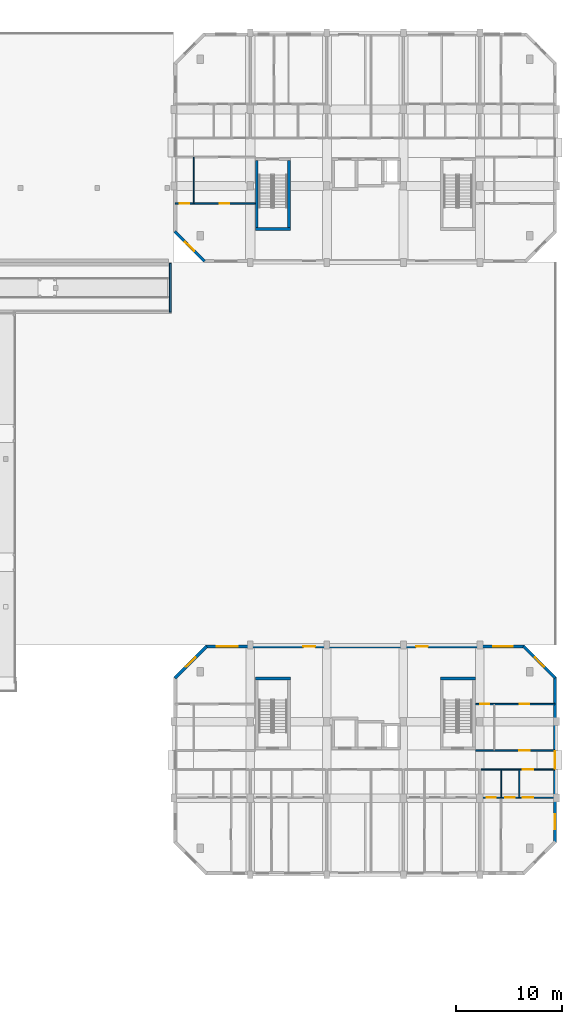
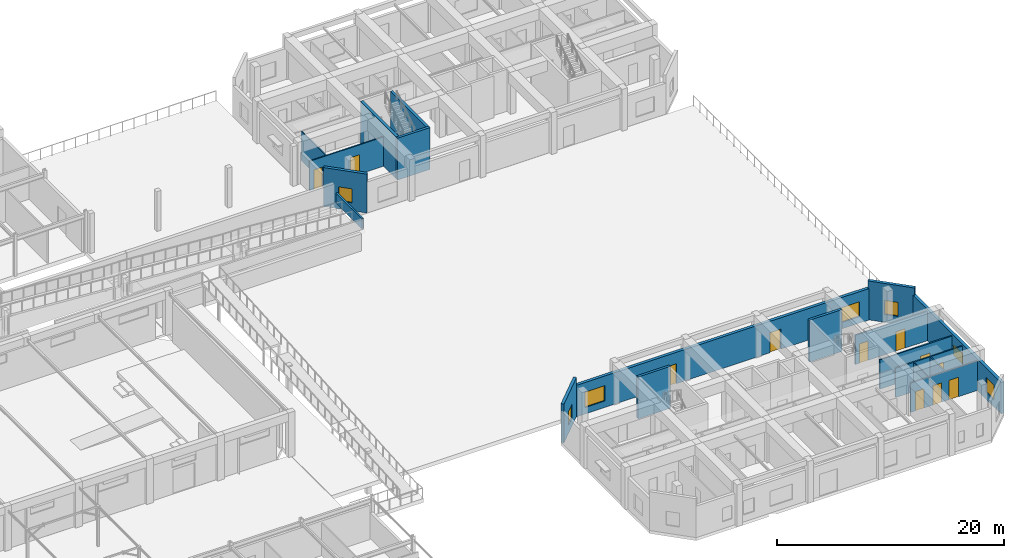
# One storey, part 67 of 85: 19 walls, 11 doors, 7 windows, 18 openings.
"""IFC4 building model written with IfcOpenShell, lengths in metres."""

from ifc_helpers import new_model, si_unit, direction, frame, frame_2d, origin, place, context, subcontext, project, spatial, rectangle, extrude, material, layer, layer_set, type_object, element, fill, save


model = new_model("IFC4")

# Units and contexts
model_context = context("Model", 3, precision=1e-05, world=origin(), true_north=direction((0.0, 1.0)))
body_context = subcontext(model_context, "Body", "Model", "MODEL_VIEW")
ifc_project = project(units=[si_unit("LENGTHUNIT", "METRE"), si_unit("AREAUNIT", "SQUARE_METRE"), si_unit("VOLUMEUNIT", "CUBIC_METRE"), si_unit("PLANEANGLEUNIT", "RADIAN"), si_unit("MASSUNIT", "GRAM", prefix="KILO")], contexts=[model_context])

# Site, building, storey
site_placement = place(None, origin())
site = spatial("IfcSite", under=ifc_project, at=site_placement, CompositionType="ELEMENT")
building_placement = place(site_placement, origin())
building = spatial("IfcBuilding", under=site, at=building_placement, Name="Ochrevale Crest", CompositionType="ELEMENT")
storey_placement = place(building_placement, origin())
storey = spatial("IfcBuildingStorey", under=building, at=storey_placement, Name="L00", CompositionType="ELEMENT", Elevation=0.0)

# Wall, opening, door
ifc_material_1 = material(Name="Gypsum plasterboard", Category="gypsum")
ifc_layer_1 = layer(ifc_material_1, 0.139892578125)
ifc_layer_set_1 = layer_set([ifc_layer_1], Name="Gypsum plasterboard")
wall_type_1 = type_object("IfcWallType", Name="WL-COR-140", PredefinedType="PARTITIONING", material=ifc_layer_set_1)
wall_1_placement = place(storey_placement, frame((158.5400390625, 24.300048828125, 0.0), z_axis=(0.0, 0.0, 1.0), x_axis=(1.0, 0.0, 0.0)))
wall_1 = element("IfcWall", 1, at=wall_1_placement, inside=storey, type_object=wall_type_1, Name="Apartment C-L00-U5 corridor wall", PredefinedType="PARTITIONING", context=body_context, shape_type="SweptSolid", body=[
    extrude(rectangle(XDim=6.919921875, YDim=0.139892578125, at=frame_2d((3.4599609375, 0.0))), origin(), (0.0, 0.0, 1.0), 3.14990234375),
])
opening_1_placement = place(wall_1_placement, frame((4.875, 0.0, 0.0), z_axis=(0.0, 0.0, 1.0), x_axis=(-1.0, 0.0, 0.0)))
opening_1 = element("IfcOpeningElement", 2, at=opening_1_placement, cuts=wall_1, Name="Opening FD01", PredefinedType="OPENING", context=body_context, shape_type="SweptSolid", body=[
    extrude(rectangle(XDim=0.97998046875, YDim=2.10009765625, at=frame_2d((0.489990234375, 1.050048828125))), frame((0.0, 0.080078125, 0.0), z_axis=(0.0, -1.0, 0.0), x_axis=(1.0, 0.0, 0.0)), (0.0, 0.0, 1.0), 0.159912109375),
])
ifc_material_2 = material(Name="Solid-core FSC hardwood", Category="wood")
door_type_1 = type_object("IfcDoorType", Name="DR-APT-950", OperationType="NOTDEFINED", PredefinedType="DOOR", material=ifc_material_2)
door_1_placement = place(opening_1_placement, origin())
door_1 = element("IfcDoor", 3, at=door_1_placement, inside=storey, type_object=door_type_1, Name="Apartment C-L00-U5 entrance door", OperationType="SINGLE_SWING_RIGHT", OverallHeight=2.10009765625, OverallWidth=0.97998046875, PredefinedType="DOOR", context=body_context, shape_type="SweptSolid", body=[
    extrude(rectangle(XDim=0.97998046875, YDim=2.10009765625, at=frame_2d((0.489990234375, 1.050048828125))), frame((0.0, 0.02490234375, 0.0), z_axis=(0.0, -1.0, 0.0), x_axis=(1.0, 0.0, 0.0)), (0.0, 0.0, 1.0), 0.050048828125),
])
fill(opening_1, door_1)

wall_2_placement = place(storey_placement, frame((157.989990234375, 26.10009765625, 0.0), z_axis=(0.0, 0.0, 1.0), x_axis=(1.0, 0.0, 0.0)))
wall_2 = element("IfcWall", 4, at=wall_2_placement, inside=storey, type_object=wall_type_1, Name="Suite C-L00-CE corridor wall", PredefinedType="PARTITIONING", context=body_context, shape_type="SweptSolid", body=[
    extrude(rectangle(XDim=7.469970703125, YDim=0.139892578125, at=frame_2d((3.73486328125, 0.0))), origin(), (0.0, 0.0, 1.0), 3.14990234375),
])
opening_2_placement = place(wall_2_placement, frame((5.10009765625, 0.0, 0.0), z_axis=(0.0, 0.0, 1.0), x_axis=(-1.0, 0.0, 0.0)))
opening_2 = element("IfcOpeningElement", 5, at=opening_2_placement, cuts=wall_2, Name="Opening FD01", PredefinedType="OPENING", context=body_context, shape_type="SweptSolid", body=[
    extrude(rectangle(XDim=0.97998046875, YDim=2.10009765625, at=frame_2d((0.489990234375, 1.050048828125))), frame((0.0, 0.080078125, 0.0), z_axis=(0.0, -1.0, 0.0), x_axis=(1.0, 0.0, 0.0)), (0.0, 0.0, 1.0), 0.159912109375),
])
door_2_placement = place(opening_2_placement, origin())
door_2 = element("IfcDoor", 6, at=door_2_placement, inside=storey, type_object=door_type_1, Name="Suite C-L00-CE entrance door", OperationType="SINGLE_SWING_RIGHT", OverallHeight=2.10009765625, OverallWidth=0.97998046875, PredefinedType="DOOR", context=body_context, shape_type="SweptSolid", body=[
    extrude(rectangle(XDim=0.97998046875, YDim=2.10009765625, at=frame_2d((0.489990234375, 1.050048828125))), frame((0.0, 0.02490234375, 0.0), z_axis=(0.0, -1.0, 0.0), x_axis=(1.0, 0.0, 0.0)), (0.0, 0.0, 1.0), 0.050048828125),
])
fill(opening_2, door_2)

# Walls
ifc_material_3 = material(Name="Precast concrete C50/60", Category="concrete")
ifc_layer_2 = layer(ifc_material_3, 0.2548828125)
ifc_layer_set_2 = layer_set([ifc_layer_2], Name="Precast concrete C50/60")
wall_type_2 = type_object("IfcWallType", Name="WL-CORE-255", PredefinedType="SHEAR", material=ifc_layer_set_2)
for number, where, z_axis, x_axis, name in (
    (7, (137.2724609375, 32.85009765625, 0.0), (0.0, 0.0, 1.0), (1.0, 0.0, 0.0), "Block C L00 Stair 1 precast core shear wall N"),
    (8, (154.672607421875, 32.85009765625, 0.0), (0.0, 0.0, 1.0), (1.0, 0.0, 0.0), "Block C L00 Stair 2 precast core shear wall N"),
    (9, (137.2724609375, 75.14990234375, 0.0), (0.0, 0.0, 1.0), (1.0, 0.0, 0.0), "Block D L00 Stair 1 precast core shear wall S"),
):
    element("IfcWall", number, at=place(storey_placement, frame(where, z_axis=z_axis, x_axis=x_axis)), inside=storey, type_object=wall_type_2, Name=name, PredefinedType="SHEAR", context=body_context, shape_type="SweptSolid", body=[
        extrude(rectangle(XDim=3.304931640625, YDim=0.2548828125, at=frame_2d((1.65234375, 0.0))), origin(), (0.0, 0.0, 1.0), 4.5),
    ])
for number, where, z_axis, x_axis, name in (
    (10, (137.39990234375, 75.277587890625, 0.0), (0.0, 0.0, 1.0), (0.0, 1.0, 0.0), "Block D L00 Stair 1 precast core shear wall W"),
    (11, (140.449951171875, 75.277587890625, 0.0), (0.0, 0.0, 1.0), (0.0, 1.0, 0.0), "Block D L00 Stair 1 precast core shear wall E"),
):
    element("IfcWall", number, at=place(storey_placement, frame(where, z_axis=z_axis, x_axis=x_axis)), inside=storey, type_object=wall_type_2, Name=name, PredefinedType="SHEAR", context=body_context, shape_type="SweptSolid", body=[
        extrude(rectangle(XDim=6.294921875, YDim=0.2548828125, at=frame_2d((3.1474609375, 0.0))), origin(), (0.0, 0.0, 1.0), 4.5),
    ])

# Wall, openings, windows
ifc_material_4 = material(Name="Clay face brickwork", Category="masonry")
ifc_layer_3 = layer(ifc_material_4, 0.2900390625)
ifc_layer_set_3 = layer_set([ifc_layer_3], Name="Clay face brickwork")
wall_type_3 = type_object("IfcWallType", Name="WL-EXT-BRICK-290", PredefinedType="SOLIDWALL", material=ifc_layer_set_3)
wall_3_placement = place(storey_placement, frame((165.455078125, 17.39990234375, 0.0), z_axis=(0.0, 0.0, 1.0), x_axis=(0.0, 1.0, 0.0)))
wall_3 = element("IfcWall", 12, at=wall_3_placement, inside=storey, type_object=wall_type_3, Name="Block C L00 external facade wall E3", PredefinedType="SOLIDWALL", context=body_context, shape_type="SweptSolid", body=[
    extrude(rectangle(XDim=15.60009765625, YDim=0.2900390625, at=frame_2d((7.800048828125, 0.0))), origin(), (0.0, 0.0, 1.0), 3.3798828125),
])
opening_3_placement = place(wall_3_placement, frame((6.97509765625, 0.0, 1.050048828125)))
opening_3 = element("IfcOpeningElement", 13, at=opening_3_placement, cuts=wall_3, Name="Opening W19", PredefinedType="OPENING", context=body_context, shape_type="SweptSolid", body=[
    extrude(rectangle(XDim=1.64990234375, YDim=1.14990234375, at=frame_2d((0.824951171875, 0.574951171875))), frame((0.0, 0.155029296875, 0.0), z_axis=(0.0, -1.0, 0.0), x_axis=(1.0, 0.0, 0.0)), (0.0, 0.0, 1.0), 0.31005859375),
])
opening_4_placement = place(wall_3_placement, frame((1.28759765625, 0.0, 0.75)))
opening_4 = element("IfcOpeningElement", 14, at=opening_4_placement, cuts=wall_3, Name="Opening W31", PredefinedType="OPENING", context=body_context, shape_type="SweptSolid", body=[
    extrude(rectangle(XDim=1.419921875, YDim=1.60009765625, at=frame_2d((0.7099609375, 0.800048828125))), frame((0.0, 0.155029296875, 0.0), z_axis=(0.0, -1.0, 0.0), x_axis=(1.0, 0.0, 0.0)), (0.0, 0.0, 1.0), 0.31005859375),
])
ifc_material_5 = material(Name="Anodised aluminium 6063-T5 and low-E double glazing", Category="aluminium")
window_type_1 = type_object("IfcWindowType", Name="WIN-W19", PartitioningType="SINGLE_PANEL", PredefinedType="WINDOW", material=ifc_material_5)
window_1_placement = place(opening_3_placement, origin())
window_1 = element("IfcWindow", 15, at=window_1_placement, inside=storey, type_object=window_type_1, Name="Block C L00 corridor end daylight window E", OverallHeight=1.14990234375, OverallWidth=1.64990234375, PartitioningType="SINGLE_PANEL", PredefinedType="WINDOW", context=body_context, shape_type="SweptSolid", body=[
    extrude(rectangle(XDim=1.64990234375, YDim=1.14990234375, at=frame_2d((0.824951171875, 0.574951171875))), frame((0.0, 0.030029296875, 0.0), z_axis=(0.0, -1.0, 0.0), x_axis=(1.0, 0.0, 0.0)), (0.0, 0.0, 1.0), 0.06005859375),
])
fill(opening_3, window_1)
window_type_2 = type_object("IfcWindowType", Name="WIN-W31", PartitioningType="SINGLE_PANEL", PredefinedType="WINDOW", material=ifc_material_5)
window_2_placement = place(opening_4_placement, origin())
window_2 = element("IfcWindow", 16, at=window_2_placement, inside=storey, type_object=window_type_2, Name="Block C L00 side suite window E", OverallHeight=1.60009765625, OverallWidth=1.419921875, PartitioningType="SINGLE_PANEL", PredefinedType="WINDOW", context=body_context, shape_type="SweptSolid", body=[
    extrude(rectangle(XDim=1.419921875, YDim=1.60009765625, at=frame_2d((0.7099609375, 0.800048828125))), frame((0.0, 0.030029296875, 0.0), z_axis=(0.0, -1.0, 0.0), x_axis=(1.0, 0.0, 0.0)), (0.0, 0.0, 1.0), 0.06005859375),
])
fill(opening_4, window_2)

# Wall, opening, window
wall_4_placement = place(storey_placement, frame((165.49755859375, 32.8974609375, 0.0), z_axis=(0.0, 0.0, 1.0), x_axis=(-0.707106781187, 0.707106781187, 0.0)))
wall_4 = element("IfcWall", 17, at=wall_4_placement, inside=storey, type_object=wall_type_3, Name="Block C L00 external facade wall E4", PredefinedType="SOLIDWALL", context=body_context, shape_type="SweptSolid", body=[
    extrude(rectangle(XDim=4.24267578125, YDim=0.2900390625, at=frame_2d((2.121337890625, 0.0))), origin(), (0.0, 0.0, 1.0), 4.175048828125),
])
opening_5_placement = place(wall_4_placement, frame((1.51123046875, 0.0, 0.85009765625)))
opening_5 = element("IfcOpeningElement", 18, at=opening_5_placement, cuts=wall_4, Name="Opening W06", PredefinedType="OPENING", context=body_context, shape_type="SweptSolid", body=[
    extrude(rectangle(XDim=1.219970703125, YDim=1.5, at=frame_2d((0.60986328125, 0.75))), frame((0.0, 0.155029296875, 0.0), z_axis=(0.0, -1.0, 0.0), x_axis=(1.0, 0.0, 0.0)), (0.0, 0.0, 1.0), 0.31005859375),
])
window_type_3 = type_object("IfcWindowType", Name="WIN-W06", PartitioningType="SINGLE_PANEL", PredefinedType="WINDOW", material=ifc_material_5)
window_3_placement = place(opening_5_placement, origin())
window_3 = element("IfcWindow", 19, at=window_3_placement, inside=storey, type_object=window_type_3, Name="Block C L00 corner room casement window 4", OverallHeight=1.5, OverallWidth=1.219970703125, PartitioningType="SINGLE_PANEL", PredefinedType="WINDOW", context=body_context, shape_type="SweptSolid", body=[
    extrude(rectangle(XDim=1.219970703125, YDim=1.5, at=frame_2d((0.60986328125, 0.75))), frame((0.0, 0.030029296875, 0.0), z_axis=(0.0, -1.0, 0.0), x_axis=(1.0, 0.0, 0.0)), (0.0, 0.0, 1.0), 0.06005859375),
])
fill(opening_5, window_3)

# Wall, openings, doors, windows
wall_5_placement = place(storey_placement, frame((162.60009765625, 35.85498046875, 0.0), z_axis=(0.0, 0.0, 1.0), x_axis=(-1.0, 0.0, 0.0)))
wall_5 = element("IfcWall", 20, at=wall_5_placement, inside=storey, type_object=wall_type_3, Name="Block C L00 external facade wall E5", PredefinedType="SOLIDWALL", context=body_context, shape_type="SweptSolid", body=[
    extrude(rectangle(XDim=30.0, YDim=0.2900390625, at=frame_2d((15.0, 0.0))), origin(), (0.0, 0.0, 1.0), 3.3798828125),
])
opening_6_placement = place(wall_5_placement, frame((20.800048828125, 0.0, 0.0), z_axis=(0.0, 0.0, 1.0), x_axis=(-1.0, 0.0, 0.0)))
opening_6 = element("IfcOpeningElement", 21, at=opening_6_placement, cuts=wall_5, Name="Opening ED06", PredefinedType="OPENING", context=body_context, shape_type="SweptSolid", body=[
    extrude(rectangle(XDim=1.10009765625, YDim=2.14990234375, at=frame_2d((0.550048828125, 1.074951171875))), frame((0.0, 0.155029296875, 0.0), z_axis=(0.0, -1.0, 0.0), x_axis=(1.0, 0.0, 0.0)), (0.0, 0.0, 1.0), 0.31005859375),
])
opening_7_placement = place(wall_5_placement, frame((10.2001953125, 0.0, 0.0), z_axis=(0.0, 0.0, 1.0), x_axis=(-1.0, 0.0, 0.0)))
opening_7 = element("IfcOpeningElement", 22, at=opening_7_placement, cuts=wall_5, Name="Opening ED06", PredefinedType="OPENING", context=body_context, shape_type="SweptSolid", body=[
    extrude(rectangle(XDim=1.10009765625, YDim=2.14990234375, at=frame_2d((0.550048828125, 1.074951171875))), frame((0.0, 0.155029296875, 0.0), z_axis=(0.0, -1.0, 0.0), x_axis=(1.0, 0.0, 0.0)), (0.0, 0.0, 1.0), 0.31005859375),
])
opening_8_placement = place(wall_5_placement, frame((1.097412109375, 0.0, 0.699951171875)))
opening_8 = element("IfcOpeningElement", 23, at=opening_8_placement, cuts=wall_5, Name="Opening W11", PredefinedType="OPENING", context=body_context, shape_type="SweptSolid", body=[
    extrude(rectangle(XDim=1.860107421875, YDim=1.60009765625, at=frame_2d((0.93017578125, 0.800048828125))), frame((0.0, 0.155029296875, 0.0), z_axis=(0.0, -1.0, 0.0), x_axis=(1.0, 0.0, 0.0)), (0.0, 0.0, 1.0), 0.31005859375),
])
opening_9_placement = place(wall_5_placement, frame((26.972412109375, 0.0, 0.699951171875)))
opening_9 = element("IfcOpeningElement", 24, at=opening_9_placement, cuts=wall_5, Name="Opening W12", PredefinedType="OPENING", context=body_context, shape_type="SweptSolid", body=[
    extrude(rectangle(XDim=2.0, YDim=1.64990234375, at=frame_2d((1.0, 0.824951171875))), frame((0.0, 0.155029296875, 0.0), z_axis=(0.0, -1.0, 0.0), x_axis=(1.0, 0.0, 0.0)), (0.0, 0.0, 1.0), 0.31005859375),
])
ifc_material_6 = material(Name="Anodised aluminium 6063-T5 and toughened glass", Category="aluminium")
door_type_2 = type_object("IfcDoorType", Name="DR-EXT-1100", OperationType="NOTDEFINED", PredefinedType="DOOR", material=ifc_material_6)
door_3_placement = place(opening_6_placement, origin())
door_3 = element("IfcDoor", 25, at=door_3_placement, inside=storey, type_object=door_type_2, Name="Block C fire-stair 1 final exit door", OperationType="SINGLE_SWING_RIGHT", OverallHeight=2.14990234375, OverallWidth=1.10009765625, PredefinedType="DOOR", context=body_context, shape_type="SweptSolid", body=[
    extrude(rectangle(XDim=1.10009765625, YDim=2.14990234375, at=frame_2d((0.550048828125, 1.074951171875))), frame((0.0, 0.02490234375, 0.0), z_axis=(0.0, -1.0, 0.0), x_axis=(1.0, 0.0, 0.0)), (0.0, 0.0, 1.0), 0.050048828125),
])
fill(opening_6, door_3)
door_4_placement = place(opening_7_placement, origin())
door_4 = element("IfcDoor", 26, at=door_4_placement, inside=storey, type_object=door_type_2, Name="Block C fire-stair 2 final exit door", OperationType="SINGLE_SWING_LEFT", OverallHeight=2.14990234375, OverallWidth=1.10009765625, PredefinedType="DOOR", context=body_context, shape_type="SweptSolid", body=[
    extrude(rectangle(XDim=1.10009765625, YDim=2.14990234375, at=frame_2d((0.550048828125, 1.074951171875))), frame((0.0, 0.02490234375, 0.0), z_axis=(0.0, -1.0, 0.0), x_axis=(1.0, 0.0, 0.0)), (0.0, 0.0, 1.0), 0.050048828125),
])
fill(opening_7, door_4)
window_type_4 = type_object("IfcWindowType", Name="WIN-W11", PartitioningType="SINGLE_PANEL", PredefinedType="WINDOW", material=ifc_material_5)
window_4_placement = place(opening_8_placement, origin())
window_4 = element("IfcWindow", 27, at=window_4_placement, inside=storey, type_object=window_type_4, Name="Block C L00 Suite C-L00-CE Master Bedroom window", OverallHeight=1.60009765625, OverallWidth=1.860107421875, PartitioningType="SINGLE_PANEL", PredefinedType="WINDOW", context=body_context, shape_type="SweptSolid", body=[
    extrude(rectangle(XDim=1.860107421875, YDim=1.60009765625, at=frame_2d((0.93017578125, 0.800048828125))), frame((0.0, 0.030029296875, 0.0), z_axis=(0.0, -1.0, 0.0), x_axis=(1.0, 0.0, 0.0)), (0.0, 0.0, 1.0), 0.06005859375),
])
fill(opening_8, window_4)
window_type_5 = type_object("IfcWindowType", Name="WIN-W12", PartitioningType="SINGLE_PANEL", PredefinedType="WINDOW", material=ifc_material_5)
window_5_placement = place(opening_9_placement, origin())
window_5 = element("IfcWindow", 28, at=window_5_placement, inside=storey, type_object=window_type_5, Name="Block C L00 Suite C-L00-CW Garden Alcove Studio window", OverallHeight=1.64990234375, OverallWidth=2.0, PartitioningType="SINGLE_PANEL", PredefinedType="WINDOW", context=body_context, shape_type="SweptSolid", body=[
    extrude(rectangle(XDim=2.0, YDim=1.64990234375, at=frame_2d((1.0, 0.824951171875))), frame((0.0, 0.030029296875, 0.0), z_axis=(0.0, -1.0, 0.0), x_axis=(1.0, 0.0, 0.0)), (0.0, 0.0, 1.0), 0.06005859375),
])
fill(opening_9, window_5)

# Wall, opening, window
wall_6_placement = place(storey_placement, frame((132.702392578125, 35.8974609375, 0.0), z_axis=(0.0, 0.0, 1.0), x_axis=(-0.707106781187, -0.707106781187, 0.0)))
wall_6 = element("IfcWall", 29, at=wall_6_placement, inside=storey, type_object=wall_type_3, Name="Block C L00 external facade wall E6", PredefinedType="SOLIDWALL", context=body_context, shape_type="SweptSolid", body=[
    extrude(rectangle(XDim=4.24267578125, YDim=0.2900390625, at=frame_2d((2.121337890625, 0.0))), origin(), (0.0, 0.0, 1.0), 4.175048828125),
])
opening_10_placement = place(wall_6_placement, frame((1.51123046875, 0.0, 0.85009765625)))
opening_10 = element("IfcOpeningElement", 30, at=opening_10_placement, cuts=wall_6, Name="Opening W06", PredefinedType="OPENING", context=body_context, shape_type="SweptSolid", body=[
    extrude(rectangle(XDim=1.219970703125, YDim=1.5, at=frame_2d((0.60986328125, 0.75))), frame((0.0, 0.155029296875, 0.0), z_axis=(0.0, -1.0, 0.0), x_axis=(1.0, 0.0, 0.0)), (0.0, 0.0, 1.0), 0.31005859375),
])
window_6_placement = place(opening_10_placement, origin())
window_6 = element("IfcWindow", 31, at=window_6_placement, inside=storey, type_object=window_type_3, Name="Block C L00 corner room casement window 6", OverallHeight=1.5, OverallWidth=1.219970703125, PartitioningType="SINGLE_PANEL", PredefinedType="WINDOW", context=body_context, shape_type="SweptSolid", body=[
    extrude(rectangle(XDim=1.219970703125, YDim=1.5, at=frame_2d((0.60986328125, 0.75))), frame((0.0, 0.030029296875, 0.0), z_axis=(0.0, -1.0, 0.0), x_axis=(1.0, 0.0, 0.0)), (0.0, 0.0, 1.0), 0.06005859375),
])
fill(opening_10, window_6)

wall_7_placement = place(storey_placement, frame((129.702392578125, 74.902587890625, 0.0), z_axis=(0.0, 0.0, 1.0), x_axis=(0.707106781187, -0.707106781187, 0.0)))
wall_7 = element("IfcWall", 32, at=wall_7_placement, inside=storey, type_object=wall_type_3, Name="Block D L00 external facade wall E8", PredefinedType="SOLIDWALL", context=body_context, shape_type="SweptSolid", body=[
    extrude(rectangle(XDim=3.9599609375, YDim=0.2900390625, at=frame_2d((1.97998046875, 0.0))), origin(), (0.0, 0.0, 1.0), 4.175048828125),
])
opening_11_placement = place(wall_7_placement, frame((1.369873046875, 0.0, 0.85009765625)))
opening_11 = element("IfcOpeningElement", 33, at=opening_11_placement, cuts=wall_7, Name="Opening W06", PredefinedType="OPENING", context=body_context, shape_type="SweptSolid", body=[
    extrude(rectangle(XDim=1.219970703125, YDim=1.5, at=frame_2d((0.60986328125, 0.75))), frame((0.0, 0.155029296875, 0.0), z_axis=(0.0, -1.0, 0.0), x_axis=(1.0, 0.0, 0.0)), (0.0, 0.0, 1.0), 0.31005859375),
])
window_7_placement = place(opening_11_placement, origin())
window_7 = element("IfcWindow", 34, at=window_7_placement, inside=storey, type_object=window_type_3, Name="Block D L00 corner room casement window 8", OverallHeight=1.5, OverallWidth=1.219970703125, PartitioningType="SINGLE_PANEL", PredefinedType="WINDOW", context=body_context, shape_type="SweptSolid", body=[
    extrude(rectangle(XDim=1.219970703125, YDim=1.5, at=frame_2d((0.60986328125, 0.75))), frame((0.0, 0.030029296875, 0.0), z_axis=(0.0, -1.0, 0.0), x_axis=(1.0, 0.0, 0.0)), (0.0, 0.0, 1.0), 0.06005859375),
])
fill(opening_11, window_7)

# Walls
ifc_layer_4 = layer(ifc_material_4, 0.179931640625)
ifc_layer_set_4 = layer_set([ifc_layer_4], Name="Clay face brickwork")
wall_type_4 = type_object("IfcWallType", Name="WL-PARAPET-180", PredefinedType="PARAPET", material=ifc_layer_set_4)
wall_8_placement = place(storey_placement, frame((129.280029296875, 67.320068359375, 2.25), z_axis=(0.0, 0.0, 1.0), x_axis=(0.0, 1.0, 0.0)))
element("IfcWall", 35, at=wall_8_placement, inside=storey, type_object=wall_type_4, Name="Hillside Step 2 E end parapet", PredefinedType="PARAPET", context=body_context, shape_type="SweptSolid", body=[
    extrude(rectangle(XDim=4.579833984375, YDim=0.179931640625, at=frame_2d((2.2900390625, 0.0))), origin(), (0.0, 0.0, 1.0), 1.10009765625),
])
ifc_layer_5 = layer(ifc_material_1, 0.1201171875)
ifc_layer_set_5 = layer_set([ifc_layer_5], Name="Gypsum plasterboard")
wall_type_5 = type_object("IfcWallType", Name="WL-PART-120", PredefinedType="PARTITIONING", material=ifc_layer_set_5)
wall_9_placement = place(storey_placement, frame((162.10009765625, 21.64990234375, 0.0), z_axis=(0.0, 0.0, 1.0), x_axis=(0.0, 1.0, 0.0)))
element("IfcWall", 36, at=wall_9_placement, inside=storey, type_object=wall_type_5, Name="Apartment C-L00-U5 kitchen-foyer wall", PredefinedType="PARTITIONING", context=body_context, shape_type="SweptSolid", body=[
    extrude(rectangle(XDim=2.650146484375, YDim=0.1201171875, at=frame_2d((1.3251953125, 0.0))), origin(), (0.0, 0.0, 1.0), 3.14990234375),
])

# Wall, openings, doors
wall_10_placement = place(storey_placement, frame((158.5400390625, 21.64990234375, 0.0), z_axis=(0.0, 0.0, 1.0), x_axis=(1.0, 0.0, 0.0)))
wall_10 = element("IfcWall", 37, at=wall_10_placement, inside=storey, type_object=wall_type_5, Name="Apartment C-L00-U5 central partition", PredefinedType="PARTITIONING", context=body_context, shape_type="SweptSolid", body=[
    extrude(rectangle(XDim=6.919921875, YDim=0.1201171875, at=frame_2d((3.4599609375, 0.0))), origin(), (0.0, 0.0, 1.0), 3.14990234375),
])
opening_12_placement = place(wall_10_placement, frame((0.5, 0.0, 0.0)))
opening_12 = element("IfcOpeningElement", 38, at=opening_12_placement, cuts=wall_10, Name="Opening ID01", PredefinedType="OPENING", context=body_context, shape_type="SweptSolid", body=[
    extrude(rectangle(XDim=0.85009765625, YDim=2.080078125, at=frame_2d((0.425048828125, 1.0400390625))), frame((0.0, 0.070068359375, 0.0), z_axis=(0.0, -1.0, 0.0), x_axis=(1.0, 0.0, 0.0)), (0.0, 0.0, 1.0), 0.14013671875),
])
opening_13_placement = place(wall_10_placement, frame((3.15478515625, 0.0, 0.0), z_axis=(0.0, 0.0, 1.0), x_axis=(-1.0, 0.0, 0.0)))
opening_13 = element("IfcOpeningElement", 39, at=opening_13_placement, cuts=wall_10, Name="Opening ID02", PredefinedType="OPENING", context=body_context, shape_type="SweptSolid", body=[
    extrude(rectangle(XDim=0.89990234375, YDim=2.080078125, at=frame_2d((0.449951171875, 1.0400390625))), frame((0.0, 0.070068359375, 0.0), z_axis=(0.0, -1.0, 0.0), x_axis=(1.0, 0.0, 0.0)), (0.0, 0.0, 1.0), 0.14013671875),
])
opening_14_placement = place(wall_10_placement, frame((3.909912109375, 0.0, 0.0)))
opening_14 = element("IfcOpeningElement", 40, at=opening_14_placement, cuts=wall_10, Name="Opening ID06", PredefinedType="OPENING", context=body_context, shape_type="SweptSolid", body=[
    extrude(rectangle(XDim=0.949951171875, YDim=2.080078125, at=frame_2d((0.47509765625, 1.0400390625))), frame((0.0, 0.070068359375, 0.0), z_axis=(0.0, -1.0, 0.0), x_axis=(1.0, 0.0, 0.0)), (0.0, 0.0, 1.0), 0.14013671875),
])
door_type_3 = type_object("IfcDoorType", Name="DR-INT-900", OperationType="NOTDEFINED", PredefinedType="DOOR", material=ifc_material_2)
door_5_placement = place(opening_13_placement, origin())
door_5 = element("IfcDoor", 41, at=door_5_placement, inside=storey, type_object=door_type_3, Name="Apartment C-L00-U5 Kitchen door", OperationType="SINGLE_SWING_RIGHT", OverallHeight=2.080078125, OverallWidth=0.89990234375, PredefinedType="DOOR", context=body_context, shape_type="SweptSolid", body=[
    extrude(rectangle(XDim=0.89990234375, YDim=2.080078125, at=frame_2d((0.449951171875, 1.0400390625))), frame((0.0, 0.02490234375, 0.0), z_axis=(0.0, -1.0, 0.0), x_axis=(1.0, 0.0, 0.0)), (0.0, 0.0, 1.0), 0.050048828125),
])
fill(opening_13, door_5)
door_type_4 = type_object("IfcDoorType", Name="DR-INT-950", OperationType="NOTDEFINED", PredefinedType="DOOR", material=ifc_material_2)
door_6_placement = place(opening_14_placement, origin())
door_6 = element("IfcDoor", 42, at=door_6_placement, inside=storey, type_object=door_type_4, Name="Apartment C-L00-U5 Living Foyer door", OperationType="SINGLE_SWING_LEFT", OverallHeight=2.080078125, OverallWidth=0.949951171875, PredefinedType="DOOR", context=body_context, shape_type="SweptSolid", body=[
    extrude(rectangle(XDim=0.949951171875, YDim=2.080078125, at=frame_2d((0.47509765625, 1.0400390625))), frame((0.0, 0.02490234375, 0.0), z_axis=(0.0, -1.0, 0.0), x_axis=(1.0, 0.0, 0.0)), (0.0, 0.0, 1.0), 0.050048828125),
])
fill(opening_14, door_6)
door_type_5 = type_object("IfcDoorType", Name="DR-WC-850", OperationType="NOTDEFINED", PredefinedType="DOOR", material=ifc_material_2)
door_7_placement = place(opening_12_placement, origin())
door_7 = element("IfcDoor", 43, at=door_7_placement, inside=storey, type_object=door_type_5, Name="Apartment C-L00-U5 Bathroom door", OperationType="SINGLE_SWING_LEFT", OverallHeight=2.080078125, OverallWidth=0.85009765625, PredefinedType="DOOR", context=body_context, shape_type="SweptSolid", body=[
    extrude(rectangle(XDim=0.85009765625, YDim=2.080078125, at=frame_2d((0.425048828125, 1.0400390625))), frame((0.0, 0.02490234375, 0.0), z_axis=(0.0, -1.0, 0.0), x_axis=(1.0, 0.0, 0.0)), (0.0, 0.0, 1.0), 0.050048828125),
])
fill(opening_12, door_7)

wall_11_placement = place(storey_placement, frame((157.989990234375, 30.449951171875, 0.0), z_axis=(0.0, 0.0, 1.0), x_axis=(1.0, 0.0, 0.0)))
wall_11 = element("IfcWall", 44, at=wall_11_placement, inside=storey, type_object=wall_type_5, Name="Suite C-L00-CE internal wall", PredefinedType="PARTITIONING", context=body_context, shape_type="SweptSolid", body=[
    extrude(rectangle(XDim=7.469970703125, YDim=0.1201171875, at=frame_2d((3.73486328125, 0.0))), origin(), (0.0, 0.0, 1.0), 3.14990234375),
])
opening_15_placement = place(wall_11_placement, frame((0.449951171875, 0.0, 0.0)))
opening_15 = element("IfcOpeningElement", 45, at=opening_15_placement, cuts=wall_11, Name="Opening ID01", PredefinedType="OPENING", context=body_context, shape_type="SweptSolid", body=[
    extrude(rectangle(XDim=0.85009765625, YDim=2.080078125, at=frame_2d((0.425048828125, 1.0400390625))), frame((0.0, 0.070068359375, 0.0), z_axis=(0.0, -1.0, 0.0), x_axis=(1.0, 0.0, 0.0)), (0.0, 0.0, 1.0), 0.14013671875),
])
opening_16_placement = place(wall_11_placement, frame((5.06982421875, 0.0, 0.0), z_axis=(0.0, 0.0, 1.0), x_axis=(-1.0, 0.0, 0.0)))
opening_16 = element("IfcOpeningElement", 46, at=opening_16_placement, cuts=wall_11, Name="Opening ID04", PredefinedType="OPENING", context=body_context, shape_type="SweptSolid", body=[
    extrude(rectangle(XDim=0.919921875, YDim=2.080078125, at=frame_2d((0.4599609375, 1.0400390625))), frame((0.0, 0.070068359375, 0.0), z_axis=(0.0, -1.0, 0.0), x_axis=(1.0, 0.0, 0.0)), (0.0, 0.0, 1.0), 0.14013671875),
])
door_type_6 = type_object("IfcDoorType", Name="DR-INT-920", OperationType="NOTDEFINED", PredefinedType="DOOR", material=ifc_material_2)
door_8_placement = place(opening_16_placement, origin())
door_8 = element("IfcDoor", 47, at=door_8_placement, inside=storey, type_object=door_type_6, Name="Suite C-L00-CE Master Bedroom door", OperationType="SINGLE_SWING_RIGHT", OverallHeight=2.080078125, OverallWidth=0.919921875, PredefinedType="DOOR", context=body_context, shape_type="SweptSolid", body=[
    extrude(rectangle(XDim=0.919921875, YDim=2.080078125, at=frame_2d((0.4599609375, 1.0400390625))), frame((0.0, 0.02490234375, 0.0), z_axis=(0.0, -1.0, 0.0), x_axis=(1.0, 0.0, 0.0)), (0.0, 0.0, 1.0), 0.050048828125),
])
fill(opening_16, door_8)
door_9_placement = place(opening_15_placement, origin())
door_9 = element("IfcDoor", 48, at=door_9_placement, inside=storey, type_object=door_type_5, Name="Suite C-L00-CE Bathroom door", OperationType="SINGLE_SWING_LEFT", OverallHeight=2.080078125, OverallWidth=0.85009765625, PredefinedType="DOOR", context=body_context, shape_type="SweptSolid", body=[
    extrude(rectangle(XDim=0.85009765625, YDim=2.080078125, at=frame_2d((0.425048828125, 1.0400390625))), frame((0.0, 0.02490234375, 0.0), z_axis=(0.0, -1.0, 0.0), x_axis=(1.0, 0.0, 0.0)), (0.0, 0.0, 1.0), 0.050048828125),
])
fill(opening_15, door_9)

wall_12_placement = place(storey_placement, frame((129.739990234375, 77.550048828125, 0.0), z_axis=(0.0, 0.0, 1.0), x_axis=(1.0, 0.0, 0.0)))
wall_12 = element("IfcWall", 49, at=wall_12_placement, inside=storey, type_object=wall_type_5, Name="Suite D-L00-CW internal wall", PredefinedType="PARTITIONING", context=body_context, shape_type="SweptSolid", body=[
    extrude(rectangle(XDim=7.52001953125, YDim=0.1201171875, at=frame_2d((3.760009765625, 0.0))), origin(), (0.0, 0.0, 1.0), 3.14990234375),
])
opening_17_placement = place(wall_12_placement, frame((1.300048828125, 0.0, 0.0), z_axis=(0.0, 0.0, 1.0), x_axis=(-1.0, 0.0, 0.0)))
opening_17 = element("IfcOpeningElement", 50, at=opening_17_placement, cuts=wall_12, Name="Opening ID01", PredefinedType="OPENING", context=body_context, shape_type="SweptSolid", body=[
    extrude(rectangle(XDim=0.85009765625, YDim=2.080078125, at=frame_2d((0.425048828125, 1.0400390625))), frame((0.0, 0.070068359375, 0.0), z_axis=(0.0, -1.0, 0.0), x_axis=(1.0, 0.0, 0.0)), (0.0, 0.0, 1.0), 0.14013671875),
])
opening_18_placement = place(wall_12_placement, frame((4.175048828125, 0.0, 0.0)))
opening_18 = element("IfcOpeningElement", 51, at=opening_18_placement, cuts=wall_12, Name="Opening ID04", PredefinedType="OPENING", context=body_context, shape_type="SweptSolid", body=[
    extrude(rectangle(XDim=0.919921875, YDim=2.080078125, at=frame_2d((0.4599609375, 1.0400390625))), frame((0.0, 0.070068359375, 0.0), z_axis=(0.0, -1.0, 0.0), x_axis=(1.0, 0.0, 0.0)), (0.0, 0.0, 1.0), 0.14013671875),
])
door_10_placement = place(opening_18_placement, origin())
door_10 = element("IfcDoor", 52, at=door_10_placement, inside=storey, type_object=door_type_6, Name="Suite D-L00-CW Quiet Reading Room door", OperationType="SINGLE_SWING_LEFT", OverallHeight=2.080078125, OverallWidth=0.919921875, PredefinedType="DOOR", context=body_context, shape_type="SweptSolid", body=[
    extrude(rectangle(XDim=0.919921875, YDim=2.080078125, at=frame_2d((0.4599609375, 1.0400390625))), frame((0.0, 0.02490234375, 0.0), z_axis=(0.0, -1.0, 0.0), x_axis=(1.0, 0.0, 0.0)), (0.0, 0.0, 1.0), 0.050048828125),
])
fill(opening_18, door_10)
door_11_placement = place(opening_17_placement, origin())
door_11 = element("IfcDoor", 53, at=door_11_placement, inside=storey, type_object=door_type_5, Name="Suite D-L00-CW Bathroom door", OperationType="SINGLE_SWING_RIGHT", OverallHeight=2.080078125, OverallWidth=0.85009765625, PredefinedType="DOOR", context=body_context, shape_type="SweptSolid", body=[
    extrude(rectangle(XDim=0.85009765625, YDim=2.080078125, at=frame_2d((0.425048828125, 1.0400390625))), frame((0.0, 0.02490234375, 0.0), z_axis=(0.0, -1.0, 0.0), x_axis=(1.0, 0.0, 0.0)), (0.0, 0.0, 1.0), 0.050048828125),
])
fill(opening_17, door_11)

# Walls
ifc_layer_6 = layer(ifc_material_1, 0.10009765625)
ifc_layer_set_6 = layer_set([ifc_layer_6], Name="Gypsum plasterboard")
wall_type_6 = type_object("IfcWallType", Name="WL-WET-100", PredefinedType="PARTITIONING", material=ifc_layer_set_6)
wall_13_placement = place(storey_placement, frame((160.389892578125, 21.64990234375, 0.0), z_axis=(0.0, 0.0, 1.0), x_axis=(0.0, 1.0, 0.0)))
element("IfcWall", 54, at=wall_13_placement, inside=storey, type_object=wall_type_6, Name="Apartment C-L00-U5 bath-kitchen wall", PredefinedType="PARTITIONING", context=body_context, shape_type="SweptSolid", body=[
    extrude(rectangle(XDim=2.650146484375, YDim=0.10009765625, at=frame_2d((1.3251953125, 0.0))), origin(), (0.0, 0.0, 1.0), 3.14990234375),
])
wall_14_placement = place(storey_placement, frame((131.489990234375, 77.550048828125, 0.0), z_axis=(0.0, 0.0, 1.0), x_axis=(0.0, 1.0, 0.0)))
element("IfcWall", 55, at=wall_14_placement, inside=storey, type_object=wall_type_6, Name="Suite D-L00-CW bathroom divider", PredefinedType="PARTITIONING", context=body_context, shape_type="SweptSolid", body=[
    extrude(rectangle(XDim=4.349853515625, YDim=0.10009765625, at=frame_2d((2.1748046875, 0.0))), origin(), (0.0, 0.0, 1.0), 3.14990234375),
])

save(model, "model.ifc")
